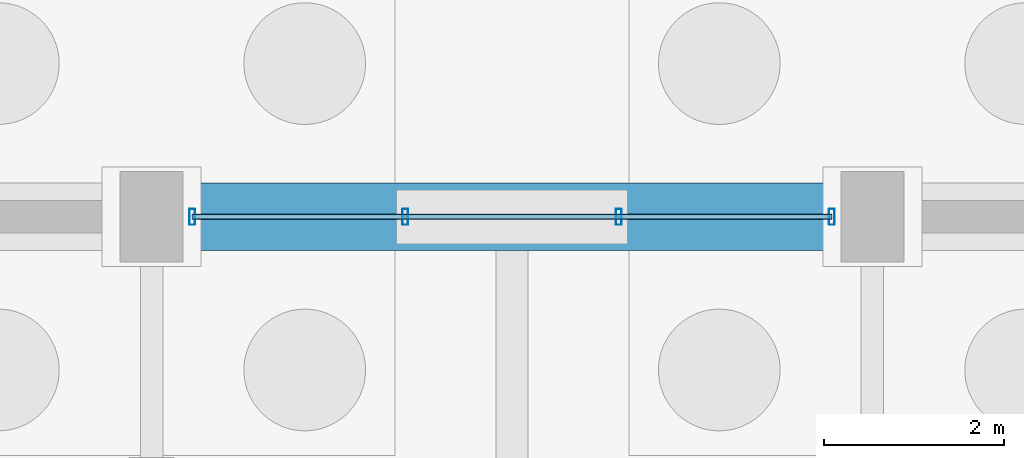
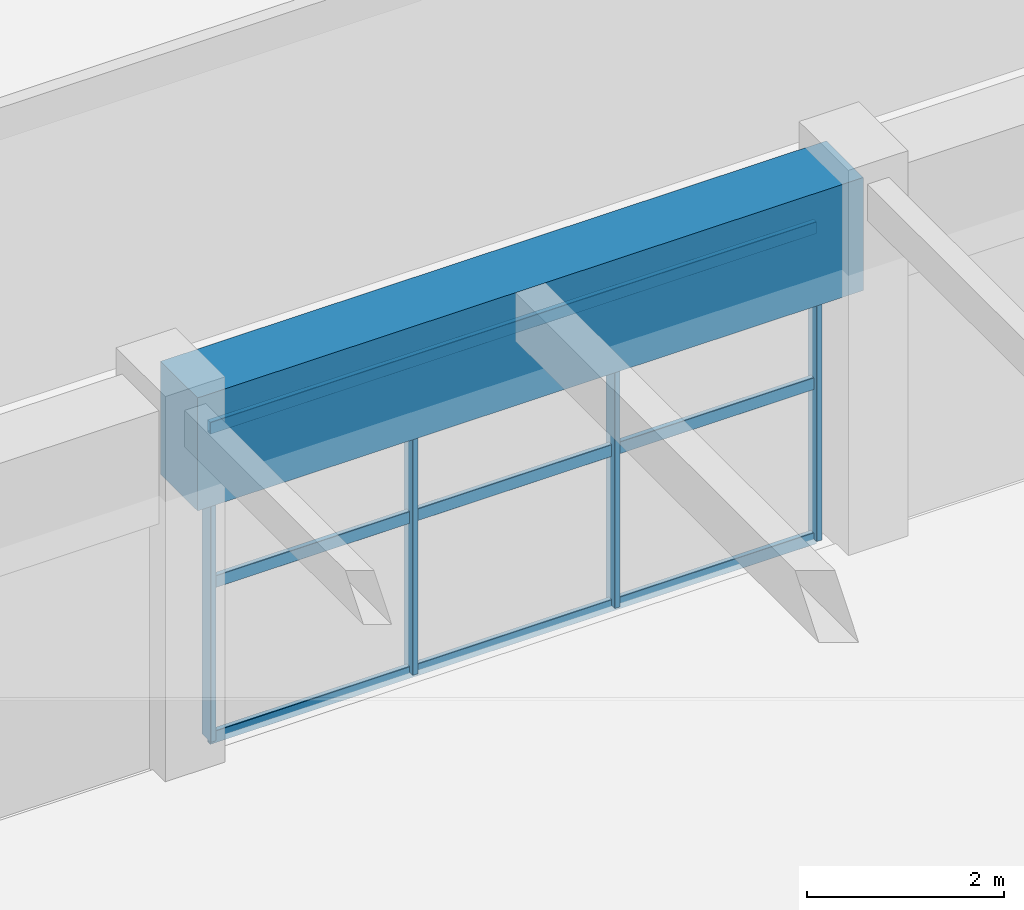
# One storey, part 83 of 147: 7 members, 1 beam, 1 element without a shape of its own.
"""IFC4 building model written with IfcOpenShell, lengths in metres."""

from ifc_helpers import new_model, si_unit, direction, frame, origin, origin_2d, place, context, subcontext, project, spatial, rectangle, hollow_rectangle, extrude, material, material_profile, profile_set, type_object, element, aggregate, save


model = new_model("IFC4")

# Units and contexts
model_context = context("Model", 3, precision=1e-05, world=origin(), true_north=direction((0.0, 1.0)))
body_context = subcontext(model_context, "Body", "Model", "MODEL_VIEW")
ifc_project = project(units=[si_unit("LENGTHUNIT", "METRE"), si_unit("AREAUNIT", "SQUARE_METRE"), si_unit("VOLUMEUNIT", "CUBIC_METRE"), si_unit("PLANEANGLEUNIT", "RADIAN"), si_unit("MASSUNIT", "GRAM", prefix="KILO")], contexts=[model_context])

# Site, building, storey
site_placement = place(None, origin())
site = spatial("IfcSite", under=ifc_project, at=site_placement, CompositionType="ELEMENT")
building_placement = place(site_placement, origin())
building = spatial("IfcBuilding", under=site, at=building_placement, Name="Varnabhumi Central Station", CompositionType="ELEMENT")
storey_placement = place(building_placement, origin())
storey = spatial("IfcBuildingStorey", under=building, at=storey_placement, Name="L00", CompositionType="ELEMENT", Elevation=0.0)

# Beam
ifc_material_1 = material(Name="Concrete M50", Category="concrete")
ifc_material_profile_1 = material_profile(ifc_material_1, rectangle(XDim=0.75, YDim=1.39990234375, at=origin_2d()), Name="Concrete M50", Category="concrete")
ifc_profile_set_1 = profile_set([ifc_material_profile_1], Name="Concrete M50")
beam_type = type_object("IfcBeamType", Name="BM-RC-1400x750", PredefinedType="BEAM", material=ifc_profile_set_1)
beam_placement = place(storey_placement, frame((168.10009765625, 36.0, 3.85009765625), z_axis=(1.0, 0.0, 0.0), x_axis=(0.0, 1.0, 0.0)))
element("IfcBeam", 1, at=beam_placement, inside=storey, type_object=beam_type, Name="Beam L00-E:22-23", PredefinedType="BEAM", context=body_context, shape_type="SweptSolid", body=[
    extrude(rectangle(XDim=0.75, YDim=1.39990234375, at=origin_2d()), origin(), (0.0, 0.0, 1.0), 7.7998046875),
])

# Curtain wall, members
ifc_material_2 = material(Name="Anodised aluminium 6063-T6", Category="aluminium")
curtain_wall_type = type_object("IfcCurtainWallType", Name="CW-SPINE-SCREEN-L0", PredefinedType="NOTDEFINED", material=ifc_material_2)
curtain_wall_placement = place(storey_placement, origin())
curtain_wall = element("IfcCurtainWall", 2, at=curtain_wall_placement, inside=storey, type_object=curtain_wall_type, Name="Curtain Wall CW-SS021", PredefinedType="NOTDEFINED")
ifc_material_profile_2 = material_profile(ifc_material_2, hollow_rectangle(XDim=0.06494140625, YDim=0.179931640625, WallThickness=0.00390625, InnerFilletRadius=0.001953125, OuterFilletRadius=0.006103515625, at=origin_2d()), Name="Anodised aluminium 6063-T6", Category="aluminium")
ifc_profile_set_2 = profile_set([ifc_material_profile_2], Name="Anodised aluminium 6063-T6")
member_type_1 = type_object("IfcMemberType", Name="CW-MUL-180", PredefinedType="MULLION", material=ifc_profile_set_2)
member_1_placement = place(storey_placement, frame((168.449951171875, 36.0, 0.0), z_axis=(0.0, 0.0, 1.0), x_axis=(1.0, 0.0, 0.0)))
member_1 = element("IfcMember", 3, at=member_1_placement, type_object=member_type_1, Name="Curtain Wall Mullion CW-SS021-M1", PredefinedType="MULLION", context=body_context, shape_type="SweptSolid", body=[
    extrude(hollow_rectangle(XDim=0.06494140625, YDim=0.179931640625, WallThickness=0.00390625, InnerFilletRadius=0.001953125, OuterFilletRadius=0.006103515625, at=origin_2d()), origin(), (0.0, 0.0, 1.0), 3.840087890625),
])
member_2_placement = place(storey_placement, frame((170.816650390625, 36.0, 0.0), z_axis=(0.0, 0.0, 1.0), x_axis=(1.0, 0.0, 0.0)))
member_2 = element("IfcMember", 4, at=member_2_placement, type_object=member_type_1, Name="Curtain Wall Mullion CW-SS021-M2", PredefinedType="MULLION", context=body_context, shape_type="SweptSolid", body=[
    extrude(hollow_rectangle(XDim=0.06494140625, YDim=0.179931640625, WallThickness=0.00390625, InnerFilletRadius=0.001953125, OuterFilletRadius=0.006103515625, at=origin_2d()), origin(), (0.0, 0.0, 1.0), 3.840087890625),
])
member_3_placement = place(storey_placement, frame((173.183349609375, 36.0, 0.0), z_axis=(0.0, 0.0, 1.0), x_axis=(1.0, 0.0, 0.0)))
member_3 = element("IfcMember", 5, at=member_3_placement, type_object=member_type_1, Name="Curtain Wall Mullion CW-SS021-M3", PredefinedType="MULLION", context=body_context, shape_type="SweptSolid", body=[
    extrude(hollow_rectangle(XDim=0.06494140625, YDim=0.179931640625, WallThickness=0.00390625, InnerFilletRadius=0.001953125, OuterFilletRadius=0.006103515625, at=origin_2d()), origin(), (0.0, 0.0, 1.0), 3.840087890625),
])
member_4_placement = place(storey_placement, frame((175.550048828125, 36.0, 0.0), z_axis=(0.0, 0.0, 1.0), x_axis=(1.0, 0.0, 0.0)))
member_4 = element("IfcMember", 6, at=member_4_placement, type_object=member_type_1, Name="Curtain Wall Mullion CW-SS021-M4", PredefinedType="MULLION", context=body_context, shape_type="SweptSolid", body=[
    extrude(hollow_rectangle(XDim=0.06494140625, YDim=0.179931640625, WallThickness=0.00390625, InnerFilletRadius=0.001953125, OuterFilletRadius=0.006103515625, at=origin_2d()), origin(), (0.0, 0.0, 1.0), 3.840087890625),
])
ifc_material_profile_3 = material_profile(ifc_material_2, hollow_rectangle(XDim=0.06005859375, YDim=0.14990234375, WallThickness=0.00390625, InnerFilletRadius=0.001953125, OuterFilletRadius=0.006103515625, at=origin_2d()), Name="Anodised aluminium 6063-T6", Category="aluminium")
ifc_profile_set_3 = profile_set([ifc_material_profile_3], Name="Anodised aluminium 6063-T6")
member_type_2 = type_object("IfcMemberType", Name="CW-TR-150", PredefinedType="USERDEFINED", material=ifc_profile_set_3)
member_5_placement = place(storey_placement, frame((168.449951171875, 36.0, 0.0), z_axis=(1.0, 0.0, 0.0), x_axis=(0.0, 1.0, 0.0)))
member_5 = element("IfcMember", 7, at=member_5_placement, type_object=member_type_2, Name="Curtain Wall Transom CW-SS021-T1", ObjectType="TRANSOM", PredefinedType="USERDEFINED", context=body_context, shape_type="SweptSolid", body=[
    extrude(hollow_rectangle(XDim=0.06005859375, YDim=0.14990234375, WallThickness=0.00390625, InnerFilletRadius=0.001953125, OuterFilletRadius=0.006103515625, at=origin_2d()), origin(), (0.0, 0.0, 1.0), 7.10009765625),
])
member_6_placement = place(storey_placement, frame((168.449951171875, 36.0, 1.919921875), z_axis=(1.0, 0.0, 0.0), x_axis=(0.0, 1.0, 0.0)))
member_6 = element("IfcMember", 8, at=member_6_placement, type_object=member_type_2, Name="Curtain Wall Transom CW-SS021-T2", ObjectType="TRANSOM", PredefinedType="USERDEFINED", context=body_context, shape_type="SweptSolid", body=[
    extrude(hollow_rectangle(XDim=0.06005859375, YDim=0.14990234375, WallThickness=0.00390625, InnerFilletRadius=0.001953125, OuterFilletRadius=0.006103515625, at=origin_2d()), origin(), (0.0, 0.0, 1.0), 7.10009765625),
])
member_7_placement = place(storey_placement, frame((168.449951171875, 36.0, 3.840087890625), z_axis=(1.0, 0.0, 0.0), x_axis=(0.0, 1.0, 0.0)))
member_7 = element("IfcMember", 9, at=member_7_placement, type_object=member_type_2, Name="Curtain Wall Transom CW-SS021-T3", ObjectType="TRANSOM", PredefinedType="USERDEFINED", context=body_context, shape_type="SweptSolid", body=[
    extrude(hollow_rectangle(XDim=0.06005859375, YDim=0.14990234375, WallThickness=0.00390625, InnerFilletRadius=0.001953125, OuterFilletRadius=0.006103515625, at=origin_2d()), origin(), (0.0, 0.0, 1.0), 7.10009765625),
])
aggregate(curtain_wall, [member_1, member_2, member_3, member_4, member_5, member_6, member_7])

save(model, "model.ifc")
